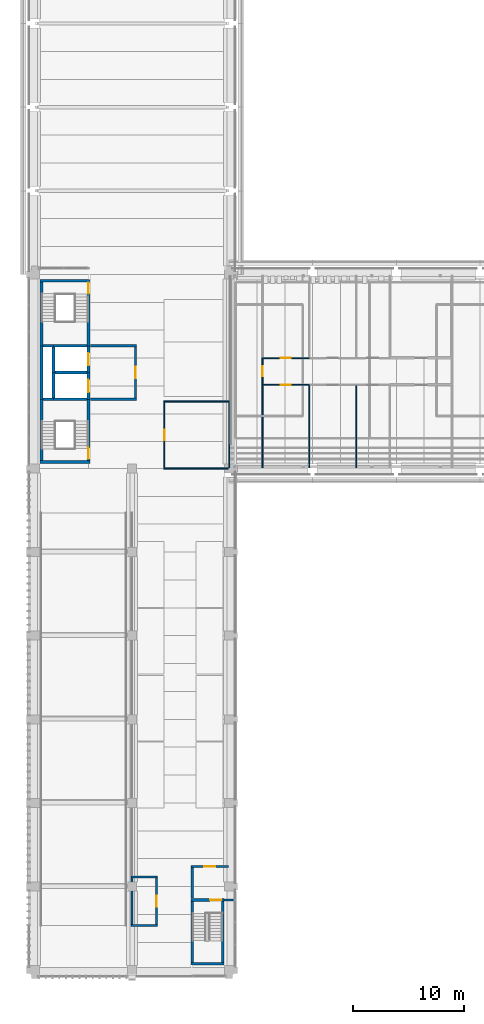
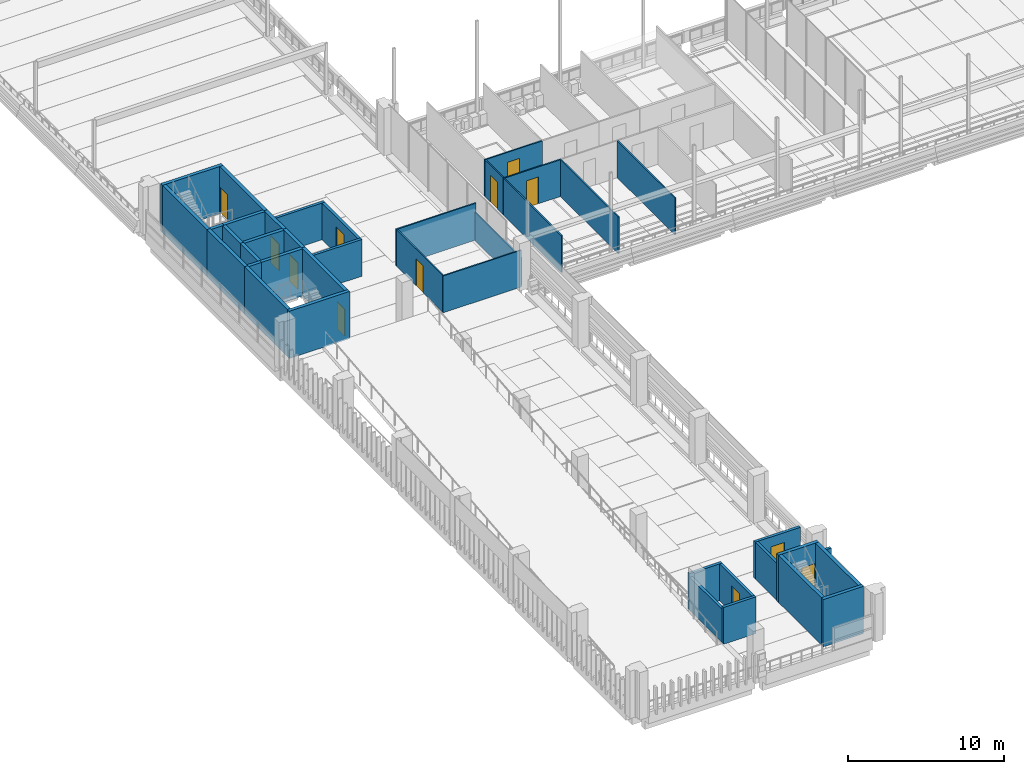
# One storey, part 41 of 62: 40 walls, 12 doors, 12 openings.
"""IFC4 building model written with IfcOpenShell, lengths in metres."""

from ifc_helpers import new_model, si_unit, direction, frame, frame_2d, origin, place, context, subcontext, project, spatial, rectangle, extrude, material, layer, layer_set, type_object, element, fill, save


model = new_model("IFC4")

# Units and contexts
model_context = context("Model", 3, precision=1e-05, world=origin(), true_north=direction((0.0, 1.0)))
body_context = subcontext(model_context, "Body", "Model", "MODEL_VIEW")
ifc_project = project(units=[si_unit("LENGTHUNIT", "METRE"), si_unit("AREAUNIT", "SQUARE_METRE"), si_unit("VOLUMEUNIT", "CUBIC_METRE"), si_unit("PLANEANGLEUNIT", "RADIAN"), si_unit("MASSUNIT", "GRAM", prefix="KILO")], contexts=[model_context])

# Site, building, storey
site_placement = place(None, origin())
site = spatial("IfcSite", under=ifc_project, at=site_placement, CompositionType="ELEMENT")
building_placement = place(site_placement, origin())
building = spatial("IfcBuilding", under=site, at=building_placement, Name="Cour d'Honneur Mobility Palace", CompositionType="ELEMENT")
storey_placement = place(building_placement, frame((0.0, 0.0, 19.300048828125)))
storey = spatial("IfcBuildingStorey", under=building, at=storey_placement, Name="L05", CompositionType="ELEMENT", Elevation=19.300048828125)

# Walls
ifc_material_1 = material(Name="Concrete C50", Category="concrete")
ifc_layer_1 = layer(ifc_material_1, 0.25)
ifc_layer_set_1 = layer_set([ifc_layer_1], Name="Concrete C50")
wall_type_1 = type_object("IfcWallType", Name="Lift shaft wall 250", PredefinedType="SHEAR", material=ifc_layer_set_1)
wall_1_placement = place(storey_placement, frame((1.77490234375, 53.60009765625, 0.0), z_axis=(0.0, 0.0, 1.0), x_axis=(1.0, 0.0, 0.0)))
element("IfcWall", 1, at=wall_1_placement, inside=storey, type_object=wall_type_1, Name="Lift shaft wall WL-CW4 L05", PredefinedType="SHEAR", context=body_context, shape_type="SweptSolid", body=[
    extrude(rectangle(XDim=2.900146484375, YDim=0.25, at=frame_2d((1.4501953125, 0.0))), origin(), (0.0, 0.0, 1.0), 3.699951171875),
])
wall_2_placement = place(storey_placement, frame((1.64990234375, 51.324951171875, 0.0), z_axis=(0.0, 0.0, 1.0), x_axis=(0.0, 1.0, 0.0)))
element("IfcWall", 2, at=wall_2_placement, inside=storey, type_object=wall_type_1, Name="Lift shaft wall WL-CW11 L05", PredefinedType="SHEAR", context=body_context, shape_type="SweptSolid", body=[
    extrude(rectangle(XDim=2.275146484375, YDim=0.25, at=frame_2d((1.1376953125, 0.0))), origin(), (0.0, 0.0, 1.0), 3.699951171875),
])
wall_3_placement = place(storey_placement, frame((1.64990234375, 53.60009765625, 0.0), z_axis=(0.0, 0.0, 1.0), x_axis=(0.0, 1.0, 0.0)))
element("IfcWall", 3, at=wall_3_placement, inside=storey, type_object=wall_type_1, Name="Lift shaft wall WL-CW12 L05", PredefinedType="SHEAR", context=body_context, shape_type="SweptSolid", body=[
    extrude(rectangle(XDim=2.27490234375, YDim=0.25, at=frame_2d((1.137451171875, 0.0))), origin(), (0.0, 0.0, 1.0), 3.699951171875),
])

# Wall, opening, door
wall_4_placement = place(storey_placement, frame((4.800048828125, 51.199951171875, 0.0), z_axis=(0.0, 0.0, 1.0), x_axis=(0.0, 1.0, 0.0)))
wall_4 = element("IfcWall", 4, at=wall_4_placement, inside=storey, type_object=wall_type_1, Name="Lift shaft wall WL-CW14 L05", PredefinedType="SHEAR", context=body_context, shape_type="SweptSolid", body=[
    extrude(rectangle(XDim=2.400146484375, YDim=0.25, at=frame_2d((1.2001953125, 0.0))), origin(), (0.0, 0.0, 1.0), 3.699951171875),
])
opening_1_placement = place(wall_4_placement, frame((0.64990234375, 0.0, 0.0)))
opening_1 = element("IfcOpeningElement", 5, at=opening_1_placement, cuts=wall_4, Name="Opening LD6", PredefinedType="OPENING", context=body_context, shape_type="SweptSolid", body=[
    extrude(rectangle(XDim=1.10009765625, YDim=2.10009765625, at=frame_2d((0.550048828125, 1.050048828125))), frame((0.0, 0.135009765625, 0.0), z_axis=(0.0, -1.0, 0.0), x_axis=(1.0, 0.0, 0.0)), (0.0, 0.0, 1.0), 0.27001953125),
])
ifc_material_2 = material(Name="Stainless steel", Category="steel")
door_type_1 = type_object("IfcDoorType", Name="Landing door 1100 x 2100", OperationType="SLIDING_TO_LEFT", PredefinedType="DOOR", material=ifc_material_2)
door_1_placement = place(opening_1_placement, origin())
door_1 = element("IfcDoor", 6, at=door_1_placement, inside=storey, type_object=door_type_1, Name="Landing door LF-CW1 L05", OperationType="SLIDING_TO_LEFT", OverallHeight=2.10009765625, OverallWidth=1.10009765625, PredefinedType="DOOR", context=body_context, shape_type="SweptSolid", body=[
    extrude(rectangle(XDim=1.10009765625, YDim=2.10009765625, at=frame_2d((0.550048828125, 1.050048828125))), frame((0.0, 0.02490234375, 0.0), z_axis=(0.0, -1.0, 0.0), x_axis=(1.0, 0.0, 0.0)), (0.0, 0.0, 1.0), 0.050048828125),
])
fill(opening_1, door_1)

wall_5_placement = place(storey_placement, frame((4.800048828125, 53.60009765625, 0.0), z_axis=(0.0, 0.0, 1.0), x_axis=(0.0, 1.0, 0.0)))
wall_5 = element("IfcWall", 7, at=wall_5_placement, inside=storey, type_object=wall_type_1, Name="Lift shaft wall WL-CW15 L05", PredefinedType="SHEAR", context=body_context, shape_type="SweptSolid", body=[
    extrude(rectangle(XDim=2.39990234375, YDim=0.25, at=frame_2d((1.199951171875, 0.0))), origin(), (0.0, 0.0, 1.0), 3.699951171875),
])
opening_2_placement = place(wall_5_placement, frame((0.64990234375, 0.0, 0.0)))
opening_2 = element("IfcOpeningElement", 8, at=opening_2_placement, cuts=wall_5, Name="Opening LD16", PredefinedType="OPENING", context=body_context, shape_type="SweptSolid", body=[
    extrude(rectangle(XDim=1.10009765625, YDim=2.10009765625, at=frame_2d((0.550048828125, 1.050048828125))), frame((0.0, 0.135009765625, 0.0), z_axis=(0.0, -1.0, 0.0), x_axis=(1.0, 0.0, 0.0)), (0.0, 0.0, 1.0), 0.27001953125),
])
door_2_placement = place(opening_2_placement, origin())
door_2 = element("IfcDoor", 9, at=door_2_placement, inside=storey, type_object=door_type_1, Name="Landing door LF-CW2 L05", OperationType="SLIDING_TO_LEFT", OverallHeight=2.10009765625, OverallWidth=1.10009765625, PredefinedType="DOOR", context=body_context, shape_type="SweptSolid", body=[
    extrude(rectangle(XDim=1.10009765625, YDim=2.10009765625, at=frame_2d((0.550048828125, 1.050048828125))), frame((0.0, 0.02490234375, 0.0), z_axis=(0.0, -1.0, 0.0), x_axis=(1.0, 0.0, 0.0)), (0.0, 0.0, 1.0), 0.050048828125),
])
fill(opening_2, door_2)

# Walls
ifc_material_3 = material(Name="Gypsum plasterboard")
ifc_layer_2 = layer(ifc_material_3, 0.10009765625)
ifc_layer_set_2 = layer_set([ifc_layer_2], Name="Gypsum plasterboard")
wall_type_2 = type_object("IfcWallType", Name="Partition 100", PredefinedType="PARTITIONING", material=ifc_layer_set_2)
wall_6_placement = place(storey_placement, frame((11.550048828125, 45.0, 0.0), z_axis=(0.0, 0.0, 1.0), x_axis=(1.0, 0.0, 0.0)))
element("IfcWall", 10, at=wall_6_placement, inside=storey, type_object=wall_type_2, Name="Partition 015", PredefinedType="PARTITIONING", context=body_context, shape_type="SweptSolid", body=[
    extrude(rectangle(XDim=5.7900390625, YDim=0.10009765625, at=frame_2d((2.89501953125, 0.0))), origin(), (0.0, 0.0, 1.0), 2.8798828125),
])
for number, where, z_axis, x_axis, name in (
    (11, (24.60009765625, 45.06005859375, 0.0), (0.0, 0.0, 1.0), (0.0, 1.0, 0.0), "Partition 019"),
    (12, (28.800048828125, 45.06005859375, 0.0), (0.0, 0.0, 1.0), (0.0, 1.0, 0.0), "Partition 020"),
):
    element("IfcWall", number, at=place(storey_placement, frame(where, z_axis=z_axis, x_axis=x_axis)), inside=storey, type_object=wall_type_2, Name=name, PredefinedType="PARTITIONING", context=body_context, shape_type="SweptSolid", body=[
        extrude(rectangle(XDim=7.389892578125, YDim=0.10009765625, at=frame_2d((3.69482421875, 0.0))), origin(), (0.0, 0.0, 1.0), 2.8798828125),
    ])

# Wall, opening, door
wall_7_placement = place(storey_placement, frame((11.60009765625, 50.949951171875, 0.0), z_axis=(0.0, 0.0, 1.0), x_axis=(0.0, -1.0, 0.0)))
wall_7 = element("IfcWall", 13, at=wall_7_placement, inside=storey, type_object=wall_type_2, Name="Partition 029", PredefinedType="PARTITIONING", context=body_context, shape_type="SweptSolid", body=[
    extrude(rectangle(XDim=5.89990234375, YDim=0.10009765625, at=frame_2d((2.949951171875, 0.0))), origin(), (0.0, 0.0, 1.0), 2.8798828125),
])
opening_3_placement = place(wall_7_placement, frame((2.5, 0.0, 0.0)))
opening_3 = element("IfcOpeningElement", 14, at=opening_3_placement, cuts=wall_7, Name="Opening D0511", PredefinedType="OPENING", context=body_context, shape_type="SweptSolid", body=[
    extrude(rectangle(XDim=0.89990234375, YDim=2.10009765625, at=frame_2d((0.449951171875, 1.050048828125))), frame((0.0, 0.06005859375, 0.0), z_axis=(0.0, -1.0, 0.0), x_axis=(1.0, 0.0, 0.0)), (0.0, 0.0, 1.0), 0.1201171875),
])
ifc_material_4 = material(Name="Solid timber", Category="wood")
door_type_2 = type_object("IfcDoorType", Name="Single door 900 x 2100", OperationType="SINGLE_SWING_LEFT", PredefinedType="DOOR", material=ifc_material_4)
door_3_placement = place(opening_3_placement, origin())
door_3 = element("IfcDoor", 15, at=door_3_placement, inside=storey, type_object=door_type_2, Name="Door Security Post", OperationType="SINGLE_SWING_RIGHT", OverallHeight=2.10009765625, OverallWidth=0.89990234375, PredefinedType="DOOR", context=body_context, shape_type="SweptSolid", body=[
    extrude(rectangle(XDim=0.89990234375, YDim=2.10009765625, at=frame_2d((0.449951171875, 1.050048828125))), frame((0.0, 0.02490234375, 0.0), z_axis=(0.0, -1.0, 0.0), x_axis=(1.0, 0.0, 0.0)), (0.0, 0.0, 1.0), 0.050048828125),
])
fill(opening_3, door_3)

# Walls
wall_8_placement = place(storey_placement, frame((17.449951171875, 51.0, 0.0), z_axis=(0.0, 0.0, 1.0), x_axis=(-1.0, 0.0, 0.0)))
element("IfcWall", 16, at=wall_8_placement, inside=storey, type_object=wall_type_2, Name="Partition 030", PredefinedType="PARTITIONING", context=body_context, shape_type="SweptSolid", body=[
    extrude(rectangle(XDim=5.89990234375, YDim=0.10009765625, at=frame_2d((2.949951171875, 0.0))), origin(), (0.0, 0.0, 1.0), 2.8798828125),
])
wall_9_placement = place(storey_placement, frame((20.39990234375, 52.449951171875, 0.0), z_axis=(0.0, 0.0, 1.0), x_axis=(0.0, -1.0, 0.0)))
element("IfcWall", 17, at=wall_9_placement, inside=storey, type_object=wall_type_2, Name="Partition 036", PredefinedType="PARTITIONING", context=body_context, shape_type="SweptSolid", body=[
    extrude(rectangle(XDim=7.389892578125, YDim=0.10009765625, at=frame_2d((3.69482421875, 0.0))), origin(), (0.0, 0.0, 1.0), 2.8798828125),
])

# Wall, opening, door
wall_10_placement = place(storey_placement, frame((20.35009765625, 52.5, 0.0), z_axis=(0.0, 0.0, 1.0), x_axis=(1.0, 0.0, 0.0)))
wall_10 = element("IfcWall", 18, at=wall_10_placement, inside=storey, type_object=wall_type_2, Name="Partition 037", PredefinedType="PARTITIONING", context=body_context, shape_type="SweptSolid", body=[
    extrude(rectangle(XDim=4.25, YDim=0.10009765625, at=frame_2d((2.125, 0.0))), origin(), (0.0, 0.0, 1.0), 2.8798828125),
])
opening_4_placement = place(wall_10_placement, frame((1.675048828125, 0.0, 0.0)))
opening_4 = element("IfcOpeningElement", 19, at=opening_4_placement, cuts=wall_10, Name="Opening D0518", PredefinedType="OPENING", context=body_context, shape_type="SweptSolid", body=[
    extrude(rectangle(XDim=0.89990234375, YDim=2.10009765625, at=frame_2d((0.449951171875, 1.050048828125))), frame((0.0, 0.06005859375, 0.0), z_axis=(0.0, -1.0, 0.0), x_axis=(1.0, 0.0, 0.0)), (0.0, 0.0, 1.0), 0.1201171875),
])
door_4_placement = place(opening_4_placement, origin())
door_4 = element("IfcDoor", 20, at=door_4_placement, inside=storey, type_object=door_type_2, Name="Door Changing Room Men West", OperationType="SINGLE_SWING_LEFT", OverallHeight=2.10009765625, OverallWidth=0.89990234375, PredefinedType="DOOR", context=body_context, shape_type="SweptSolid", body=[
    extrude(rectangle(XDim=0.89990234375, YDim=2.10009765625, at=frame_2d((0.449951171875, 1.050048828125))), frame((0.0, 0.02490234375, 0.0), z_axis=(0.0, -1.0, 0.0), x_axis=(1.0, 0.0, 0.0)), (0.0, 0.0, 1.0), 0.050048828125),
])
fill(opening_4, door_4)

wall_11_placement = place(storey_placement, frame((20.39990234375, 54.85009765625, 0.0), z_axis=(0.0, 0.0, 1.0), x_axis=(0.0, -1.0, 0.0)))
wall_11 = element("IfcWall", 21, at=wall_11_placement, inside=storey, type_object=wall_type_2, Name="Partition 051", PredefinedType="PARTITIONING", context=body_context, shape_type="SweptSolid", body=[
    extrude(rectangle(XDim=2.300048828125, YDim=0.10009765625, at=frame_2d((1.14990234375, 0.0))), origin(), (0.0, 0.0, 1.0), 2.8798828125),
])
opening_5_placement = place(wall_11_placement, frame((0.699951171875, 0.0, 0.0)))
opening_5 = element("IfcOpeningElement", 22, at=opening_5_placement, cuts=wall_11, Name="Opening D0517", PredefinedType="OPENING", context=body_context, shape_type="SweptSolid", body=[
    extrude(rectangle(XDim=0.89990234375, YDim=2.10009765625, at=frame_2d((0.449951171875, 1.050048828125))), frame((0.0, 0.06005859375, 0.0), z_axis=(0.0, -1.0, 0.0), x_axis=(1.0, 0.0, 0.0)), (0.0, 0.0, 1.0), 0.1201171875),
])
door_5_placement = place(opening_5_placement, frame((0.89990234375, 0.0, 0.0), z_axis=(0.0, 0.0, 1.0), x_axis=(-1.0, 0.0, 0.0)))
door_5 = element("IfcDoor", 23, at=door_5_placement, inside=storey, type_object=door_type_2, Name="Door Sports Foyer West", OperationType="SINGLE_SWING_LEFT", OverallHeight=2.10009765625, OverallWidth=0.89990234375, PredefinedType="DOOR", context=body_context, shape_type="SweptSolid", body=[
    extrude(rectangle(XDim=0.89990234375, YDim=2.10009765625, at=frame_2d((0.449951171875, 1.050048828125))), frame((0.0, 0.02490234375, 0.0), z_axis=(0.0, -1.0, 0.0), x_axis=(1.0, 0.0, 0.0)), (0.0, 0.0, 1.0), 0.050048828125),
])
fill(opening_5, door_5)

wall_12_placement = place(storey_placement, frame((24.60009765625, 54.89990234375, 0.0), z_axis=(0.0, 0.0, 1.0), x_axis=(-1.0, 0.0, 0.0)))
wall_12 = element("IfcWall", 24, at=wall_12_placement, inside=storey, type_object=wall_type_2, Name="Partition 052", PredefinedType="PARTITIONING", context=body_context, shape_type="SweptSolid", body=[
    extrude(rectangle(XDim=4.25, YDim=0.10009765625, at=frame_2d((2.125, 0.0))), origin(), (0.0, 0.0, 1.0), 2.8798828125),
])
opening_6_placement = place(wall_12_placement, frame((1.675048828125, 0.0, 0.0)))
opening_6 = element("IfcOpeningElement", 25, at=opening_6_placement, cuts=wall_12, Name="Opening D0522", PredefinedType="OPENING", context=body_context, shape_type="SweptSolid", body=[
    extrude(rectangle(XDim=0.89990234375, YDim=2.10009765625, at=frame_2d((0.449951171875, 1.050048828125))), frame((0.0, 0.06005859375, 0.0), z_axis=(0.0, -1.0, 0.0), x_axis=(1.0, 0.0, 0.0)), (0.0, 0.0, 1.0), 0.1201171875),
])
door_6_placement = place(opening_6_placement, origin())
door_6 = element("IfcDoor", 26, at=door_6_placement, inside=storey, type_object=door_type_2, Name="Door WC Men West", OperationType="SINGLE_SWING_RIGHT", OverallHeight=2.10009765625, OverallWidth=0.89990234375, PredefinedType="DOOR", context=body_context, shape_type="SweptSolid", body=[
    extrude(rectangle(XDim=0.89990234375, YDim=2.10009765625, at=frame_2d((0.449951171875, 1.050048828125))), frame((0.0, 0.02490234375, 0.0), z_axis=(0.0, -1.0, 0.0), x_axis=(1.0, 0.0, 0.0)), (0.0, 0.0, 1.0), 0.050048828125),
])
fill(opening_6, door_6)

# Walls
ifc_material_5 = material(Name="Gypsum plasterboard")
ifc_layer_3 = layer(ifc_material_5, 0.10009765625)
ifc_layer_set_3 = layer_set([ifc_layer_3], Name="Gypsum plasterboard")
wall_type_3 = type_object("IfcWallType", Name="Partition 100 under beam 1500", PredefinedType="PARTITIONING", material=ifc_layer_set_3)
wall_13_placement = place(storey_placement, frame((17.39990234375, 45.06005859375, 0.0), z_axis=(0.0, 0.0, 1.0), x_axis=(0.0, 1.0, 0.0)))
element("IfcWall", 27, at=wall_13_placement, inside=storey, type_object=wall_type_3, Name="Partition 018", PredefinedType="PARTITIONING", context=body_context, shape_type="SweptSolid", body=[
    extrude(rectangle(XDim=5.889892578125, YDim=0.10009765625, at=frame_2d((2.94482421875, 0.0))), origin(), (0.0, 0.0, 1.0), 2.199951171875),
])
ifc_material_6 = material(Name="Gypsum plasterboard")
ifc_layer_4 = layer(ifc_material_6, 0.199951171875)
ifc_layer_set_4 = layer_set([ifc_layer_4], Name="Gypsum plasterboard")
wall_type_4 = type_object("IfcWallType", Name="Partition 200 rated EI 120", PredefinedType="PARTITIONING", material=ifc_layer_set_4)
wall_14_placement = place(storey_placement, frame((8.60009765625, 4.0, 0.0), z_axis=(0.0, 0.0, 1.0), x_axis=(1.0, 0.0, 0.0)))
element("IfcWall", 28, at=wall_14_placement, inside=storey, type_object=wall_type_4, Name="Partition 001", PredefinedType="PARTITIONING", context=body_context, shape_type="SweptSolid", body=[
    extrude(rectangle(XDim=2.39990234375, YDim=0.199951171875, at=frame_2d((1.199951171875, 0.0))), origin(), (0.0, 0.0, 1.0), 2.8798828125),
])

# Wall, opening, door
wall_15_placement = place(storey_placement, frame((10.89990234375, 4.10009765625, 0.0), z_axis=(0.0, 0.0, 1.0), x_axis=(0.0, 1.0, 0.0)))
wall_15 = element("IfcWall", 29, at=wall_15_placement, inside=storey, type_object=wall_type_4, Name="Partition 002", PredefinedType="PARTITIONING", context=body_context, shape_type="SweptSolid", body=[
    extrude(rectangle(XDim=4.14990234375, YDim=0.199951171875, at=frame_2d((2.074951171875, 0.0))), origin(), (0.0, 0.0, 1.0), 2.8798828125),
])
opening_7_placement = place(wall_15_placement, frame((1.574951171875, 0.0, 0.0)))
opening_7 = element("IfcOpeningElement", 30, at=opening_7_placement, cuts=wall_15, Name="Opening D0509", PredefinedType="OPENING", context=body_context, shape_type="SweptSolid", body=[
    extrude(rectangle(XDim=1.0, YDim=2.10009765625, at=frame_2d((0.5, 1.050048828125))), frame((0.0, 0.10986328125, 0.0), z_axis=(0.0, -1.0, 0.0), x_axis=(1.0, 0.0, 0.0)), (0.0, 0.0, 1.0), 0.219970703125),
])
ifc_material_7 = material(Name="Galvanised steel", Category="steel")
door_type_3 = type_object("IfcDoorType", Name="Fire door FD120 1000 x 2100", OperationType="SINGLE_SWING_LEFT", PredefinedType="DOOR", material=ifc_material_7)
door_7_placement = place(opening_7_placement, origin())
door_7 = element("IfcDoor", 31, at=door_7_placement, inside=storey, type_object=door_type_3, Name="Door EV Switch Room West", OperationType="SINGLE_SWING_RIGHT", OverallHeight=2.10009765625, OverallWidth=1.0, PredefinedType="DOOR", context=body_context, shape_type="SweptSolid", body=[
    extrude(rectangle(XDim=1.0, YDim=2.10009765625, at=frame_2d((0.5, 1.050048828125))), frame((0.0, 0.02490234375, 0.0), z_axis=(0.0, -1.0, 0.0), x_axis=(1.0, 0.0, 0.0)), (0.0, 0.0, 1.0), 0.050048828125),
])
fill(opening_7, door_7)

# Walls
wall_16_placement = place(storey_placement, frame((16.949951171875, 6.300048828125, 0.0), z_axis=(0.0, 0.0, 1.0), x_axis=(1.0, 0.0, 0.0)))
element("IfcWall", 32, at=wall_16_placement, inside=storey, type_object=wall_type_4, Name="Partition 005", PredefinedType="PARTITIONING", context=body_context, shape_type="SweptSolid", body=[
    extrude(rectangle(XDim=0.949951171875, YDim=0.199951171875, at=frame_2d((0.47509765625, 0.0))), origin(), (0.0, 0.0, 1.0), 2.8798828125),
])
wall_17_placement = place(storey_placement, frame((11.0, 8.35009765625, 0.0), z_axis=(0.0, 0.0, 1.0), x_axis=(-1.0, 0.0, 0.0)))
element("IfcWall", 33, at=wall_17_placement, inside=storey, type_object=wall_type_4, Name="Partition 009", PredefinedType="PARTITIONING", context=body_context, shape_type="SweptSolid", body=[
    extrude(rectangle(XDim=2.39990234375, YDim=0.199951171875, at=frame_2d((1.199951171875, 0.0))), origin(), (0.0, 0.0, 1.0), 2.8798828125),
])
wall_18_placement = place(storey_placement, frame((14.10009765625, 9.199951171875, 0.0), z_axis=(0.0, 0.0, 1.0), x_axis=(0.0, -1.0, 0.0)))
element("IfcWall", 34, at=wall_18_placement, inside=storey, type_object=wall_type_4, Name="Partition 012", PredefinedType="PARTITIONING", context=body_context, shape_type="SweptSolid", body=[
    extrude(rectangle(XDim=2.724853515625, YDim=0.199951171875, at=frame_2d((1.3623046875, 0.0))), origin(), (0.0, 0.0, 1.0), 2.8798828125),
])

# Wall, opening, door
wall_19_placement = place(storey_placement, frame((17.340087890625, 9.300048828125, 0.0), z_axis=(0.0, 0.0, 1.0), x_axis=(-1.0, 0.0, 0.0)))
wall_19 = element("IfcWall", 35, at=wall_19_placement, inside=storey, type_object=wall_type_4, Name="Partition 013", PredefinedType="PARTITIONING", context=body_context, shape_type="SweptSolid", body=[
    extrude(rectangle(XDim=3.340087890625, YDim=0.199951171875, at=frame_2d((1.669921875, 0.0))), origin(), (0.0, 0.0, 1.0), 2.8798828125),
])
opening_8_placement = place(wall_19_placement, frame((1.169921875, 0.0, 0.0)))
opening_8 = element("IfcOpeningElement", 36, at=opening_8_placement, cuts=wall_19, Name="Opening D0507", PredefinedType="OPENING", context=body_context, shape_type="SweptSolid", body=[
    extrude(rectangle(XDim=1.0, YDim=2.10009765625, at=frame_2d((0.5, 1.050048828125))), frame((0.0, 0.10986328125, 0.0), z_axis=(0.0, -1.0, 0.0), x_axis=(1.0, 0.0, 0.0)), (0.0, 0.0, 1.0), 0.219970703125),
])
door_8_placement = place(opening_8_placement, origin())
door_8 = element("IfcDoor", 37, at=door_8_placement, inside=storey, type_object=door_type_3, Name="Door Stair Lobby RW", OperationType="SINGLE_SWING_LEFT", OverallHeight=2.10009765625, OverallWidth=1.0, PredefinedType="DOOR", context=body_context, shape_type="SweptSolid", body=[
    extrude(rectangle(XDim=1.0, YDim=2.10009765625, at=frame_2d((0.5, 1.050048828125))), frame((0.0, 0.02490234375, 0.0), z_axis=(0.0, -1.0, 0.0), x_axis=(1.0, 0.0, 0.0)), (0.0, 0.0, 1.0), 0.050048828125),
])
fill(opening_8, door_8)

# Wall
wall_20_placement = place(storey_placement, frame((4.97509765625, 51.199951171875, 0.0), z_axis=(0.0, 0.0, 1.0), x_axis=(1.0, 0.0, 0.0)))
element("IfcWall", 38, at=wall_20_placement, inside=storey, type_object=wall_type_4, Name="Partition 033", PredefinedType="PARTITIONING", context=body_context, shape_type="SweptSolid", body=[
    extrude(rectangle(XDim=4.125, YDim=0.199951171875, at=frame_2d((2.0625, 0.0))), origin(), (0.0, 0.0, 1.0), 2.8798828125),
])

# Wall, opening, door
wall_21_placement = place(storey_placement, frame((9.0, 51.300048828125, 0.0), z_axis=(0.0, 0.0, 1.0), x_axis=(0.0, 1.0, 0.0)))
wall_21 = element("IfcWall", 39, at=wall_21_placement, inside=storey, type_object=wall_type_4, Name="Partition 034", PredefinedType="PARTITIONING", context=body_context, shape_type="SweptSolid", body=[
    extrude(rectangle(XDim=4.599853515625, YDim=0.199951171875, at=frame_2d((2.2998046875, 0.0))), origin(), (0.0, 0.0, 1.0), 2.8798828125),
])
opening_9_placement = place(wall_21_placement, frame((1.800048828125, 0.0, 0.0)))
opening_9 = element("IfcOpeningElement", 40, at=opening_9_placement, cuts=wall_21, Name="Opening D0501", PredefinedType="OPENING", context=body_context, shape_type="SweptSolid", body=[
    extrude(rectangle(XDim=1.0, YDim=2.10009765625, at=frame_2d((0.5, 1.050048828125))), frame((0.0, 0.10986328125, 0.0), z_axis=(0.0, -1.0, 0.0), x_axis=(1.0, 0.0, 0.0)), (0.0, 0.0, 1.0), 0.219970703125),
])
door_9_placement = place(opening_9_placement, origin())
door_9 = element("IfcDoor", 41, at=door_9_placement, inside=storey, type_object=door_type_3, Name="Door Firefighting Lobby CW", OperationType="SINGLE_SWING_RIGHT", OverallHeight=2.10009765625, OverallWidth=1.0, PredefinedType="DOOR", context=body_context, shape_type="SweptSolid", body=[
    extrude(rectangle(XDim=1.0, YDim=2.10009765625, at=frame_2d((0.5, 1.050048828125))), frame((0.0, 0.02490234375, 0.0), z_axis=(0.0, -1.0, 0.0), x_axis=(1.0, 0.0, 0.0)), (0.0, 0.0, 1.0), 0.050048828125),
])
fill(opening_9, door_9)

# Walls
wall_22_placement = place(storey_placement, frame((9.10009765625, 56.0, 0.0), z_axis=(0.0, 0.0, 1.0), x_axis=(-1.0, 0.0, 0.0)))
element("IfcWall", 42, at=wall_22_placement, inside=storey, type_object=wall_type_4, Name="Partition 065", PredefinedType="PARTITIONING", context=body_context, shape_type="SweptSolid", body=[
    extrude(rectangle(XDim=4.125, YDim=0.199951171875, at=frame_2d((2.0625, 0.0))), origin(), (0.0, 0.0, 1.0), 2.8798828125),
])
ifc_material_8 = material(Name="Gypsum plasterboard")
ifc_layer_5 = layer(ifc_material_8, 0.199951171875)
ifc_layer_set_5 = layer_set([ifc_layer_5], Name="Gypsum plasterboard")
wall_type_5 = type_object("IfcWallType", Name="Partition 200 rated EI 120 under beam 1100", PredefinedType="PARTITIONING", material=ifc_layer_set_5)
wall_23_placement = place(storey_placement, frame((8.699951171875, 8.25, 0.0), z_axis=(0.0, 0.0, 1.0), x_axis=(0.0, -1.0, 0.0)))
element("IfcWall", 43, at=wall_23_placement, inside=storey, type_object=wall_type_5, Name="Partition 008", PredefinedType="PARTITIONING", context=body_context, shape_type="SweptSolid", body=[
    extrude(rectangle(XDim=4.14990234375, YDim=0.199951171875, at=frame_2d((2.074951171875, 0.0))), origin(), (0.0, 0.0, 1.0), 2.599853515625),
])
ifc_material_9 = material(Name="Concrete C50", Category="concrete")
ifc_layer_6 = layer(ifc_material_9, 0.25)
ifc_layer_set_6 = layer_set([ifc_layer_6], Name="Concrete C50")
wall_type_6 = type_object("IfcWallType", Name="Shaft wall 250", PredefinedType="SHEAR", material=ifc_layer_set_6)
wall_24_placement = place(storey_placement, frame((0.574951171875, 51.199951171875, 0.0), z_axis=(0.0, 0.0, 1.0), x_axis=(0.0, 1.0, 0.0)))
element("IfcWall", 44, at=wall_24_placement, inside=storey, type_object=wall_type_6, Name="Shaft wall WR-CW9 L05", PredefinedType="SHEAR", context=body_context, shape_type="SweptSolid", body=[
    extrude(rectangle(XDim=4.800048828125, YDim=0.25, at=frame_2d((2.39990234375, 0.0))), origin(), (0.0, 0.0, 1.0), 3.699951171875),
])
ifc_material_10 = material(Name="Concrete C50", Category="concrete")
ifc_layer_7 = layer(ifc_material_10, 0.25)
ifc_layer_set_7 = layer_set([ifc_layer_7], Name="Concrete C50")
wall_type_7 = type_object("IfcWallType", Name="Stair wall 250", PredefinedType="SHEAR", material=ifc_layer_set_7)
wall_25_placement = place(storey_placement, frame((0.449951171875, 45.574951171875, 0.0), z_axis=(0.0, 0.0, 1.0), x_axis=(1.0, 0.0, 0.0)))
element("IfcWall", 45, at=wall_25_placement, inside=storey, type_object=wall_type_7, Name="Stair wall WS-CW1 L05", PredefinedType="SHEAR", context=body_context, shape_type="SweptSolid", body=[
    extrude(rectangle(XDim=4.47509765625, YDim=0.25, at=frame_2d((2.237548828125, 0.0))), origin(), (0.0, 0.0, 1.0), 3.699951171875),
])
wall_26_placement = place(storey_placement, frame((0.699951171875, 51.199951171875, 0.0), z_axis=(0.0, 0.0, 1.0), x_axis=(1.0, 0.0, 0.0)))
element("IfcWall", 46, at=wall_26_placement, inside=storey, type_object=wall_type_7, Name="Stair wall WS-CW2 L05", PredefinedType="SHEAR", context=body_context, shape_type="SweptSolid", body=[
    extrude(rectangle(XDim=0.949951171875, YDim=0.25, at=frame_2d((0.47509765625, 0.0))), origin(), (0.0, 0.0, 1.0), 3.699951171875),
])
wall_27_placement = place(storey_placement, frame((1.64990234375, 51.199951171875, 0.0), z_axis=(0.0, 0.0, 1.0), x_axis=(1.0, 0.0, 0.0)))
element("IfcWall", 47, at=wall_27_placement, inside=storey, type_object=wall_type_7, Name="Stair wall WS-CW3 L05", PredefinedType="SHEAR", context=body_context, shape_type="SweptSolid", body=[
    extrude(rectangle(XDim=3.025146484375, YDim=0.25, at=frame_2d((1.5126953125, 0.0))), origin(), (0.0, 0.0, 1.0), 3.699951171875),
])
wall_28_placement = place(storey_placement, frame((0.699951171875, 56.0, 0.0), z_axis=(0.0, 0.0, 1.0), x_axis=(1.0, 0.0, 0.0)))
element("IfcWall", 48, at=wall_28_placement, inside=storey, type_object=wall_type_7, Name="Stair wall WS-CW5 L05", PredefinedType="SHEAR", context=body_context, shape_type="SweptSolid", body=[
    extrude(rectangle(XDim=0.949951171875, YDim=0.25, at=frame_2d((0.47509765625, 0.0))), origin(), (0.0, 0.0, 1.0), 3.699951171875),
])
wall_29_placement = place(storey_placement, frame((1.64990234375, 56.0, 0.0), z_axis=(0.0, 0.0, 1.0), x_axis=(1.0, 0.0, 0.0)))
element("IfcWall", 49, at=wall_29_placement, inside=storey, type_object=wall_type_7, Name="Stair wall WS-CW6 L05", PredefinedType="SHEAR", context=body_context, shape_type="SweptSolid", body=[
    extrude(rectangle(XDim=3.025146484375, YDim=0.25, at=frame_2d((1.5126953125, 0.0))), origin(), (0.0, 0.0, 1.0), 3.699951171875),
])
wall_30_placement = place(storey_placement, frame((0.449951171875, 61.824951171875, 0.0), z_axis=(0.0, 0.0, 1.0), x_axis=(1.0, 0.0, 0.0)))
element("IfcWall", 50, at=wall_30_placement, inside=storey, type_object=wall_type_7, Name="Stair wall WS-CW7 L05", PredefinedType="SHEAR", context=body_context, shape_type="SweptSolid", body=[
    extrude(rectangle(XDim=4.47509765625, YDim=0.25, at=frame_2d((2.237548828125, 0.0))), origin(), (0.0, 0.0, 1.0), 3.699951171875),
])
wall_31_placement = place(storey_placement, frame((0.574951171875, 45.699951171875, 0.0), z_axis=(0.0, 0.0, 1.0), x_axis=(0.0, 1.0, 0.0)))
element("IfcWall", 51, at=wall_31_placement, inside=storey, type_object=wall_type_7, Name="Stair wall WS-CW8 L05", PredefinedType="SHEAR", context=body_context, shape_type="SweptSolid", body=[
    extrude(rectangle(XDim=5.5, YDim=0.25, at=frame_2d((2.75, 0.0))), origin(), (0.0, 0.0, 1.0), 3.699951171875),
])
wall_32_placement = place(storey_placement, frame((0.574951171875, 56.0, 0.0), z_axis=(0.0, 0.0, 1.0), x_axis=(0.0, 1.0, 0.0)))
element("IfcWall", 52, at=wall_32_placement, inside=storey, type_object=wall_type_7, Name="Stair wall WS-CW10 L05", PredefinedType="SHEAR", context=body_context, shape_type="SweptSolid", body=[
    extrude(rectangle(XDim=5.699951171875, YDim=0.25, at=frame_2d((2.85009765625, 0.0))), origin(), (0.0, 0.0, 1.0), 3.699951171875),
])

# Wall, opening, door
wall_33_placement = place(storey_placement, frame((4.800048828125, 45.699951171875, 0.0), z_axis=(0.0, 0.0, 1.0), x_axis=(0.0, 1.0, 0.0)))
wall_33 = element("IfcWall", 53, at=wall_33_placement, inside=storey, type_object=wall_type_7, Name="Stair wall WS-CW13 L05", PredefinedType="SHEAR", context=body_context, shape_type="SweptSolid", body=[
    extrude(rectangle(XDim=5.5, YDim=0.25, at=frame_2d((2.75, 0.0))), origin(), (0.0, 0.0, 1.0), 3.699951171875),
])
opening_10_placement = place(wall_33_placement, frame((0.14990234375, 0.0, 0.0)))
opening_10 = element("IfcOpeningElement", 54, at=opening_10_placement, cuts=wall_33, Name="Opening S134", PredefinedType="OPENING", context=body_context, shape_type="SweptSolid", body=[
    extrude(rectangle(XDim=1.0, YDim=2.10009765625, at=frame_2d((0.5, 1.050048828125))), frame((0.0, 0.135009765625, 0.0), z_axis=(0.0, -1.0, 0.0), x_axis=(1.0, 0.0, 0.0)), (0.0, 0.0, 1.0), 0.27001953125),
])
ifc_material_11 = material(Name="Galvanised steel", Category="steel")
door_type_4 = type_object("IfcDoorType", Name="Fire door FD120 stair 1000 x 2100", OperationType="SINGLE_SWING_LEFT", PredefinedType="DOOR", material=ifc_material_11)
door_10_placement = place(opening_10_placement, origin())
door_10 = element("IfcDoor", 55, at=door_10_placement, inside=storey, type_object=door_type_4, Name="Stair door ST-CW1 L05", OperationType="SINGLE_SWING_RIGHT", OverallHeight=2.10009765625, OverallWidth=1.0, PredefinedType="DOOR", context=body_context, shape_type="SweptSolid", body=[
    extrude(rectangle(XDim=1.0, YDim=2.10009765625, at=frame_2d((0.5, 1.050048828125))), frame((0.0, 0.02490234375, 0.0), z_axis=(0.0, -1.0, 0.0), x_axis=(1.0, 0.0, 0.0)), (0.0, 0.0, 1.0), 0.050048828125),
])
fill(opening_10, door_10)

wall_34_placement = place(storey_placement, frame((4.800048828125, 56.0, 0.0), z_axis=(0.0, 0.0, 1.0), x_axis=(0.0, 1.0, 0.0)))
wall_34 = element("IfcWall", 56, at=wall_34_placement, inside=storey, type_object=wall_type_7, Name="Stair wall WS-CW16 L05", PredefinedType="SHEAR", context=body_context, shape_type="SweptSolid", body=[
    extrude(rectangle(XDim=5.699951171875, YDim=0.25, at=frame_2d((2.85009765625, 0.0))), origin(), (0.0, 0.0, 1.0), 3.699951171875),
])
opening_11_placement = place(wall_34_placement, frame((4.675048828125, 0.0, 0.0)))
opening_11 = element("IfcOpeningElement", 57, at=opening_11_placement, cuts=wall_34, Name="Opening S70", PredefinedType="OPENING", context=body_context, shape_type="SweptSolid", body=[
    extrude(rectangle(XDim=1.0, YDim=2.10009765625, at=frame_2d((0.5, 1.050048828125))), frame((0.0, 0.135009765625, 0.0), z_axis=(0.0, -1.0, 0.0), x_axis=(1.0, 0.0, 0.0)), (0.0, 0.0, 1.0), 0.27001953125),
])
door_11_placement = place(opening_11_placement, origin())
door_11 = element("IfcDoor", 58, at=door_11_placement, inside=storey, type_object=door_type_4, Name="Stair door ST-CW2 L05", OperationType="SINGLE_SWING_LEFT", OverallHeight=2.10009765625, OverallWidth=1.0, PredefinedType="DOOR", context=body_context, shape_type="SweptSolid", body=[
    extrude(rectangle(XDim=1.0, YDim=2.10009765625, at=frame_2d((0.5, 1.050048828125))), frame((0.0, 0.02490234375, 0.0), z_axis=(0.0, -1.0, 0.0), x_axis=(1.0, 0.0, 0.0)), (0.0, 0.0, 1.0), 0.050048828125),
])
fill(opening_11, door_11)

# Wall
wall_35_placement = place(storey_placement, frame((13.97509765625, 0.574951171875, 0.0), z_axis=(0.0, 0.0, 1.0), x_axis=(1.0, 0.0, 0.0)))
element("IfcWall", 59, at=wall_35_placement, inside=storey, type_object=wall_type_7, Name="Stair wall WS-RW1 L05", PredefinedType="SHEAR", context=body_context, shape_type="SweptSolid", body=[
    extrude(rectangle(XDim=2.974853515625, YDim=0.25, at=frame_2d((1.4873046875, 0.0))), origin(), (0.0, 0.0, 1.0), 3.699951171875),
])

# Wall, opening, door
wall_36_placement = place(storey_placement, frame((13.97509765625, 6.300048828125, 0.0), z_axis=(0.0, 0.0, 1.0), x_axis=(1.0, 0.0, 0.0)))
wall_36 = element("IfcWall", 60, at=wall_36_placement, inside=storey, type_object=wall_type_7, Name="Stair wall WS-RW2 L05", PredefinedType="SHEAR", context=body_context, shape_type="SweptSolid", body=[
    extrude(rectangle(XDim=2.974853515625, YDim=0.25, at=frame_2d((1.4873046875, 0.0))), origin(), (0.0, 0.0, 1.0), 3.699951171875),
])
opening_12_placement = place(wall_36_placement, frame((1.72509765625, 0.0, 0.0)))
opening_12 = element("IfcOpeningElement", 61, at=opening_12_placement, cuts=wall_36, Name="Opening S114", PredefinedType="OPENING", context=body_context, shape_type="SweptSolid", body=[
    extrude(rectangle(XDim=1.0, YDim=2.10009765625, at=frame_2d((0.5, 1.050048828125))), frame((0.0, 0.135009765625, 0.0), z_axis=(0.0, -1.0, 0.0), x_axis=(1.0, 0.0, 0.0)), (0.0, 0.0, 1.0), 0.27001953125),
])
door_12_placement = place(opening_12_placement, origin())
door_12 = element("IfcDoor", 62, at=door_12_placement, inside=storey, type_object=door_type_4, Name="Stair door ST-RW1 L05", OperationType="SINGLE_SWING_RIGHT", OverallHeight=2.10009765625, OverallWidth=1.0, PredefinedType="DOOR", context=body_context, shape_type="SweptSolid", body=[
    extrude(rectangle(XDim=1.0, YDim=2.10009765625, at=frame_2d((0.5, 1.050048828125))), frame((0.0, 0.02490234375, 0.0), z_axis=(0.0, -1.0, 0.0), x_axis=(1.0, 0.0, 0.0)), (0.0, 0.0, 1.0), 0.050048828125),
])
fill(opening_12, door_12)

# Walls
for number, where, z_axis, x_axis, name in (
    (63, (14.10009765625, 0.699951171875, 0.0), (0.0, 0.0, 1.0), (0.0, 1.0, 0.0), "Stair wall WS-RW3 L05"),
    (64, (16.824951171875, 0.699951171875, 0.0), (0.0, 0.0, 1.0), (0.0, 1.0, 0.0), "Stair wall WS-RW4 L05"),
):
    element("IfcWall", number, at=place(storey_placement, frame(where, z_axis=z_axis, x_axis=x_axis)), inside=storey, type_object=wall_type_7, Name=name, PredefinedType="SHEAR", context=body_context, shape_type="SweptSolid", body=[
        extrude(rectangle(XDim=5.47509765625, YDim=0.25, at=frame_2d((2.737548828125, 0.0))), origin(), (0.0, 0.0, 1.0), 3.699951171875),
    ])

save(model, "model.ifc")
